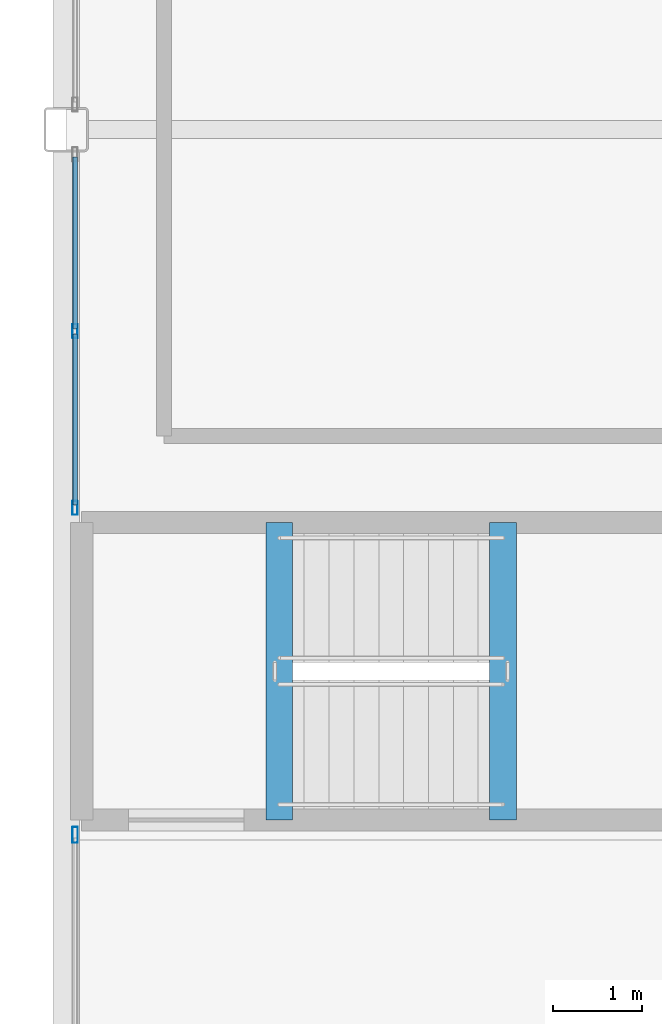
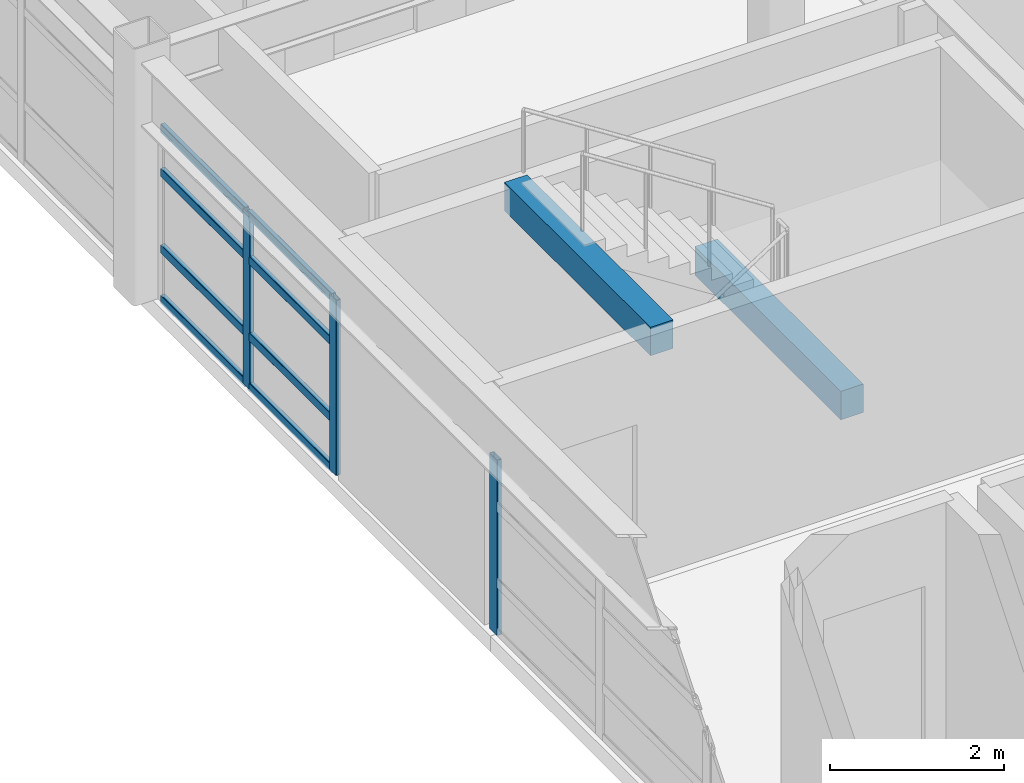
# One storey, part 12 of 35: 11 members, 2 beams, 2 elements without a shape of their own.
"""IFC4 building model written with IfcOpenShell, lengths in metres."""

from ifc_helpers import new_model, si_unit, direction, frame, origin, origin_2d, place, context, subcontext, project, spatial, rectangle, hollow_rectangle, extrude, material, layer, layer_set, material_profile, profile_set, type_object, element, aggregate, save


model = new_model("IFC4")

# Units and contexts
model_context = context("Model", 3, precision=1e-05, world=origin(), true_north=direction((0.0, 1.0)))
body_context = subcontext(model_context, "Body", "Model", "MODEL_VIEW")
ifc_project = project(units=[si_unit("LENGTHUNIT", "METRE"), si_unit("AREAUNIT", "SQUARE_METRE"), si_unit("VOLUMEUNIT", "CUBIC_METRE"), si_unit("PLANEANGLEUNIT", "RADIAN"), si_unit("MASSUNIT", "GRAM", prefix="KILO")], contexts=[model_context])

# Site, building, storey
site_placement = place(None, origin())
site = spatial("IfcSite", under=ifc_project, at=site_placement, CompositionType="ELEMENT")
building_placement = place(site_placement, origin())
building = spatial("IfcBuilding", under=site, at=building_placement, Name="Kazehara Bluff Congress Hotel", CompositionType="ELEMENT")
storey_placement = place(building_placement, frame((0.0, 0.0, 35.39990234375)))
storey = spatial("IfcBuildingStorey", under=building, at=storey_placement, Name="L08", CompositionType="ELEMENT", Elevation=35.39990234375)

# Curtain wall, members
ifc_material_1 = material(Name="Anodised aluminium", Category="aluminium")
ifc_layer_1 = layer(ifc_material_1, 0.159912109375)
ifc_layer_set_1 = layer_set([ifc_layer_1], Name="Anodised aluminium")
curtain_wall_type_1 = type_object("IfcCurtainWallType", Name="TP-CW-191", PredefinedType="NOTDEFINED", material=ifc_layer_set_1)
curtain_wall_1_placement = place(storey_placement, origin())
curtain_wall_1 = element("IfcCurtainWall", 1, at=curtain_wall_1_placement, inside=storey, type_object=curtain_wall_type_1, Name="L08 curtain wall CW-191 CW-ENC-V5-L08-14380-5418", PredefinedType="NOTDEFINED")
ifc_material_2 = material(Name="Anodised aluminium", Category="aluminium")
ifc_material_profile_1 = material_profile(ifc_material_2, hollow_rectangle(XDim=0.06005859375, YDim=0.159912109375, WallThickness=0.00390625, InnerFilletRadius=0.00390625, OuterFilletRadius=0.008056640625, at=origin_2d()))
ifc_profile_set_1 = profile_set([ifc_material_profile_1], Name="Anodised aluminium")
member_type_1 = type_object("IfcMemberType", Name="TP-CWM-01", PredefinedType="MULLION", material=ifc_profile_set_1)
member_1_placement = place(storey_placement, frame((143.800048828125, 52.18994140625, 0.0), z_axis=(0.0, 0.0, 1.0), x_axis=(-1.0, 0.0, 0.0)))
member_1 = element("IfcMember", 2, at=member_1_placement, type_object=member_type_1, Name="CW-191 mullion 1", PredefinedType="MULLION", context=body_context, shape_type="SweptSolid", body=[
    extrude(hollow_rectangle(XDim=0.06005859375, YDim=0.159912109375, WallThickness=0.00390625, InnerFilletRadius=0.00390625, OuterFilletRadius=0.008056640625, at=origin_2d()), origin(), (0.0, 0.0, 1.0), 2.455078125),
])
member_2_placement = place(storey_placement, frame((143.800048828125, 54.179931640625, 0.0), z_axis=(0.0, 0.0, 1.0), x_axis=(-1.0, 0.0, 0.0)))
member_2 = element("IfcMember", 3, at=member_2_placement, type_object=member_type_1, Name="CW-191 mullion 2", PredefinedType="MULLION", context=body_context, shape_type="SweptSolid", body=[
    extrude(hollow_rectangle(XDim=0.06005859375, YDim=0.159912109375, WallThickness=0.00390625, InnerFilletRadius=0.00390625, OuterFilletRadius=0.008056640625, at=origin_2d()), origin(), (0.0, 0.0, 1.0), 2.455078125),
])

# Curtain wall, member
ifc_material_3 = material(Name="Anodised aluminium", Category="aluminium")
ifc_layer_2 = layer(ifc_material_3, 0.159912109375)
ifc_layer_set_2 = layer_set([ifc_layer_2], Name="Anodised aluminium")
curtain_wall_type_2 = type_object("IfcCurtainWallType", Name="TP-CW-190", PredefinedType="NOTDEFINED", material=ifc_layer_set_2)
curtain_wall_2_placement = place(storey_placement, origin())
curtain_wall_2 = element("IfcCurtainWall", 4, at=curtain_wall_2_placement, inside=storey, type_object=curtain_wall_type_2, Name="L08 curtain wall CW-190 CW-ENC-V5-L08-14380-4484", PredefinedType="NOTDEFINED")
ifc_material_4 = material(Name="Anodised aluminium", Category="aluminium")
ifc_material_profile_2 = material_profile(ifc_material_4, hollow_rectangle(XDim=0.06494140625, YDim=0.179931640625, WallThickness=0.00390625, InnerFilletRadius=0.00390625, OuterFilletRadius=0.008056640625, at=origin_2d()))
ifc_profile_set_2 = profile_set([ifc_material_profile_2], Name="Anodised aluminium")
member_type_2 = type_object("IfcMemberType", Name="TP-CWM-02", PredefinedType="MULLION", material=ifc_profile_set_2)
member_3_placement = place(storey_placement, frame((143.800048828125, 48.507568359375, 0.0), z_axis=(0.0, 0.0, 1.0), x_axis=(-1.0, 0.0, 0.0)))
member_3 = element("IfcMember", 5, at=member_3_placement, type_object=member_type_2, Name="CW-190 mullion 4", PredefinedType="MULLION", context=body_context, shape_type="SweptSolid", body=[
    extrude(hollow_rectangle(XDim=0.06494140625, YDim=0.179931640625, WallThickness=0.00390625, InnerFilletRadius=0.00390625, OuterFilletRadius=0.008056640625, at=origin_2d()), origin(), (0.0, 0.0, 1.0), 2.455078125),
])
aggregate(curtain_wall_2, [member_3])

# Member
ifc_material_5 = material(Name="Anodised aluminium", Category="aluminium")
ifc_material_profile_3 = material_profile(ifc_material_5, hollow_rectangle(XDim=0.06005859375, YDim=0.1201171875, WallThickness=0.00390625, InnerFilletRadius=0.00390625, OuterFilletRadius=0.008056640625, at=origin_2d()))
ifc_profile_set_3 = profile_set([ifc_material_profile_3], Name="Anodised aluminium")
member_type_3 = type_object("IfcMemberType", Name="TP-CWT-01", PredefinedType="USERDEFINED", material=ifc_profile_set_3)
member_4_placement = place(storey_placement, frame((143.800048828125, 52.219970703125, 0.030029296875), z_axis=(0.0, 1.0, 0.0), x_axis=(-1.0, 0.0, 0.0)))
member_4 = element("IfcMember", 6, at=member_4_placement, type_object=member_type_3, Name="CW-191 transom 1.1", ObjectType="TRANSOM", PredefinedType="USERDEFINED", context=body_context, shape_type="SweptSolid", body=[
    extrude(hollow_rectangle(XDim=0.06005859375, YDim=0.1201171875, WallThickness=0.00390625, InnerFilletRadius=0.00390625, OuterFilletRadius=0.008056640625, at=origin_2d()), origin(), (0.0, 0.0, 1.0), 1.929931640625),
])

member_5_placement = place(storey_placement, frame((143.800048828125, 52.219970703125, 0.735107421875), z_axis=(0.0, 1.0, 0.0), x_axis=(-1.0, 0.0, 0.0)))
member_5 = element("IfcMember", 7, at=member_5_placement, type_object=member_type_3, Name="CW-191 transom 1.2", ObjectType="TRANSOM", PredefinedType="USERDEFINED", context=body_context, shape_type="SweptSolid", body=[
    extrude(hollow_rectangle(XDim=0.06005859375, YDim=0.1201171875, WallThickness=0.00390625, InnerFilletRadius=0.00390625, OuterFilletRadius=0.008056640625, at=origin_2d()), origin(), (0.0, 0.0, 1.0), 1.929931640625),
])

member_6_placement = place(storey_placement, frame((143.800048828125, 52.219970703125, 1.80517578125), z_axis=(0.0, 1.0, 0.0), x_axis=(-1.0, 0.0, 0.0)))
member_6 = element("IfcMember", 8, at=member_6_placement, type_object=member_type_3, Name="CW-191 transom 1.3", ObjectType="TRANSOM", PredefinedType="USERDEFINED", context=body_context, shape_type="SweptSolid", body=[
    extrude(hollow_rectangle(XDim=0.06005859375, YDim=0.1201171875, WallThickness=0.00390625, InnerFilletRadius=0.00390625, OuterFilletRadius=0.008056640625, at=origin_2d()), origin(), (0.0, 0.0, 1.0), 1.929931640625),
])

member_7_placement = place(storey_placement, frame((143.800048828125, 52.219970703125, 2.425048828125), z_axis=(0.0, 1.0, 0.0), x_axis=(-1.0, 0.0, 0.0)))
member_7 = element("IfcMember", 9, at=member_7_placement, type_object=member_type_3, Name="CW-191 transom 1.4", ObjectType="TRANSOM", PredefinedType="USERDEFINED", context=body_context, shape_type="SweptSolid", body=[
    extrude(hollow_rectangle(XDim=0.06005859375, YDim=0.1201171875, WallThickness=0.00390625, InnerFilletRadius=0.00390625, OuterFilletRadius=0.008056640625, at=origin_2d()), origin(), (0.0, 0.0, 1.0), 1.929931640625),
])

member_8_placement = place(storey_placement, frame((143.800048828125, 54.2099609375, 0.030029296875), z_axis=(0.0, 1.0, 0.0), x_axis=(-1.0, 0.0, 0.0)))
member_8 = element("IfcMember", 10, at=member_8_placement, type_object=member_type_3, Name="CW-191 transom 2.1", ObjectType="TRANSOM", PredefinedType="USERDEFINED", context=body_context, shape_type="SweptSolid", body=[
    extrude(hollow_rectangle(XDim=0.06005859375, YDim=0.1201171875, WallThickness=0.00390625, InnerFilletRadius=0.00390625, OuterFilletRadius=0.008056640625, at=origin_2d()), origin(), (0.0, 0.0, 1.0), 1.929931640625),
])

member_9_placement = place(storey_placement, frame((143.800048828125, 54.2099609375, 0.735107421875), z_axis=(0.0, 1.0, 0.0), x_axis=(-1.0, 0.0, 0.0)))
member_9 = element("IfcMember", 11, at=member_9_placement, type_object=member_type_3, Name="CW-191 transom 2.2", ObjectType="TRANSOM", PredefinedType="USERDEFINED", context=body_context, shape_type="SweptSolid", body=[
    extrude(hollow_rectangle(XDim=0.06005859375, YDim=0.1201171875, WallThickness=0.00390625, InnerFilletRadius=0.00390625, OuterFilletRadius=0.008056640625, at=origin_2d()), origin(), (0.0, 0.0, 1.0), 1.929931640625),
])

member_10_placement = place(storey_placement, frame((143.800048828125, 54.2099609375, 1.80517578125), z_axis=(0.0, 1.0, 0.0), x_axis=(-1.0, 0.0, 0.0)))
member_10 = element("IfcMember", 12, at=member_10_placement, type_object=member_type_3, Name="CW-191 transom 2.3", ObjectType="TRANSOM", PredefinedType="USERDEFINED", context=body_context, shape_type="SweptSolid", body=[
    extrude(hollow_rectangle(XDim=0.06005859375, YDim=0.1201171875, WallThickness=0.00390625, InnerFilletRadius=0.00390625, OuterFilletRadius=0.008056640625, at=origin_2d()), origin(), (0.0, 0.0, 1.0), 1.929931640625),
])

member_11_placement = place(storey_placement, frame((143.800048828125, 54.2099609375, 2.425048828125), z_axis=(0.0, 1.0, 0.0), x_axis=(-1.0, 0.0, 0.0)))
member_11 = element("IfcMember", 13, at=member_11_placement, type_object=member_type_3, Name="CW-191 transom 2.4", ObjectType="TRANSOM", PredefinedType="USERDEFINED", context=body_context, shape_type="SweptSolid", body=[
    extrude(hollow_rectangle(XDim=0.06005859375, YDim=0.1201171875, WallThickness=0.00390625, InnerFilletRadius=0.00390625, OuterFilletRadius=0.008056640625, at=origin_2d()), origin(), (0.0, 0.0, 1.0), 1.929931640625),
])

aggregate(curtain_wall_1, [member_1, member_2, member_4, member_5, member_6, member_7, member_8, member_9, member_10, member_11])

# Beams
ifc_material_6 = material(Name="Concrete C40/50", Category="concrete")
ifc_material_profile_4 = material_profile(ifc_material_6, rectangle(XDim=0.300048828125, YDim=0.39990234375, at=origin_2d()))
ifc_profile_set_4 = profile_set([ifc_material_profile_4], Name="Concrete C40/50")
beam_type = type_object("IfcBeamType", Name="TP-LN-02", PredefinedType="LINTEL", material=ifc_profile_set_4)
for number, where, z_axis, x_axis, name in (
    (14, (148.6201171875, 48.675048828125, 1.420166015625), (0.0, 1.0, 0.0), (-1.0, 0.0, 0.0), "L08 ST-11 half-landing support beam 1"),
    (15, (146.10009765625, 48.675048828125, 3.2001953125), (0.0, 1.0, 0.0), (-1.0, 0.0, 0.0), "L09 ST-11 stairwell trimmer beam"),
):
    element("IfcBeam", number, at=place(storey_placement, frame(where, z_axis=z_axis, x_axis=x_axis)), inside=storey, type_object=beam_type, Name=name, PredefinedType="LINTEL", context=body_context, shape_type="SweptSolid", body=[
        extrude(rectangle(XDim=0.300048828125, YDim=0.39990234375, at=origin_2d()), origin(), (0.0, 0.0, 1.0), 3.349853515625),
    ])

save(model, "model.ifc")
